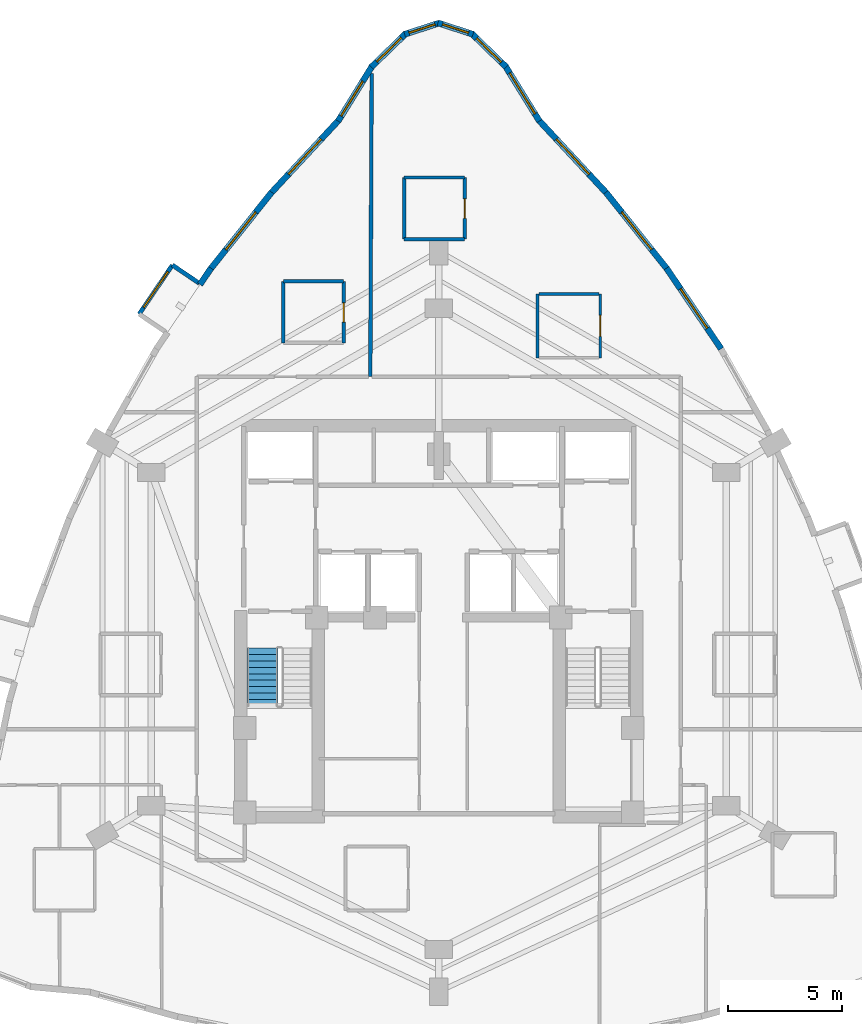
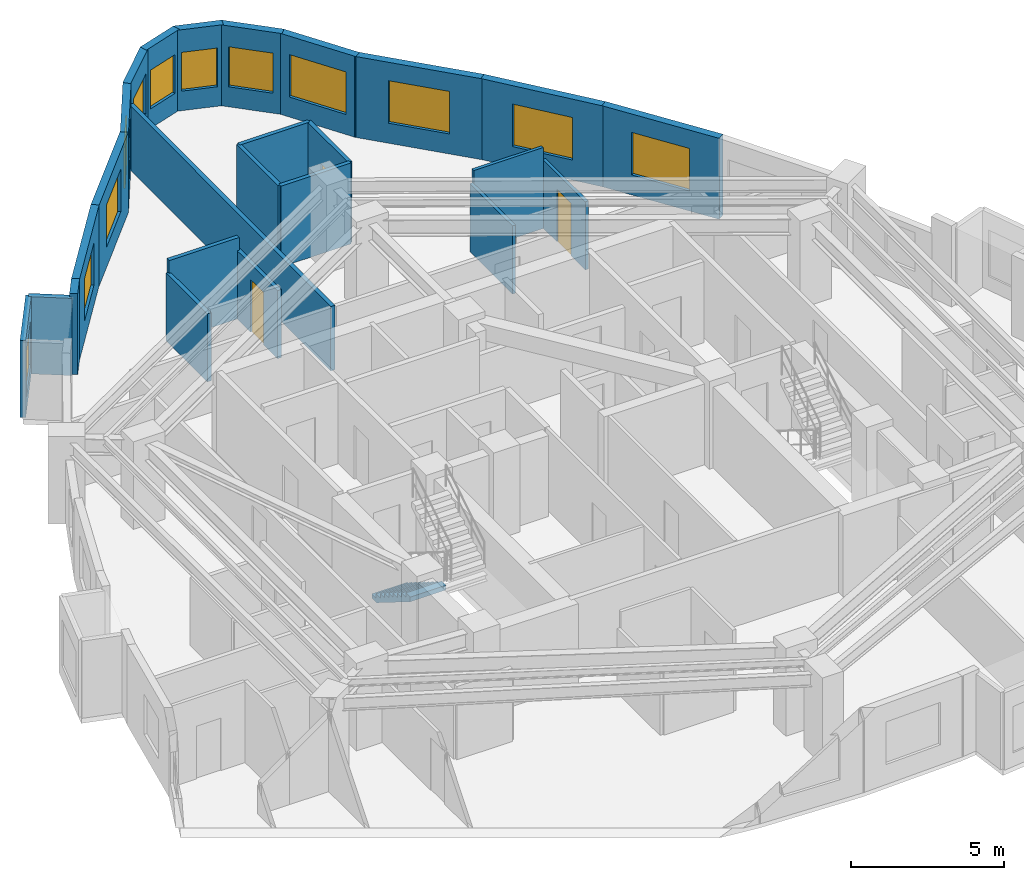
# One storey, part 8 of 10: 25 walls, 12 windows, 3 doors, 1 stair flight, 15 openings, 1 element without a shape of its own.
"""IFC4 building model written with IfcOpenShell, lengths in metres."""

from ifc_helpers import new_model, si_unit, direction, frame, frame_2d, origin, place, context, subcontext, project, spatial, polyline, rectangle, outline, extrude, material, layer, layer_set, type_object, element, fill, aggregate, save


model = new_model("IFC4")

# Units and contexts
model_context = context("Model", 3, precision=1e-05, world=origin(), true_north=direction((0.0, 1.0)))
body_context = subcontext(model_context, "Body", "Model", "MODEL_VIEW")
ifc_project = project(units=[si_unit("LENGTHUNIT", "METRE"), si_unit("AREAUNIT", "SQUARE_METRE"), si_unit("VOLUMEUNIT", "CUBIC_METRE"), si_unit("PLANEANGLEUNIT", "RADIAN"), si_unit("MASSUNIT", "GRAM", prefix="KILO")], contexts=[model_context])

# Site, building, storey
site_placement = place(None, origin())
site = spatial("IfcSite", under=ifc_project, at=site_placement, CompositionType="ELEMENT")
building_placement = place(site_placement, origin())
building = spatial("IfcBuilding", under=site, at=building_placement, Name="Miruveldt Soraemaru", CompositionType="ELEMENT")
storey_placement = place(building_placement, frame((0.0, 0.0, 173.89990234375)))
storey = spatial("IfcBuildingStorey", under=building, at=storey_placement, Name="L48", CompositionType="ELEMENT", Elevation=173.89990234375)

# Wall
ifc_material_1 = material(Name="White powder-coated aluminium EN AW-6060 T6", Category="aluminium")
ifc_layer_1 = layer(ifc_material_1, 0.18994140625, Name="White powder-coated aluminium EN AW-6060 T6", Category="aluminium")
ifc_layer_set_1 = layer_set([ifc_layer_1], Name="White powder-coated aluminium EN AW-6060 T6")
wall_type_1 = type_object("IfcWallType", Name="WALL-BAY-ALU190", PredefinedType="SOLIDWALL", material=ifc_layer_set_1)
wall_1_placement = place(storey_placement, frame((33.5029296875, 58.69580078125, 0.0), z_axis=(0.0, 0.0, 1.0), x_axis=(-0.827862228344, 0.560931485016, 0.0)))
element("IfcWall", 1, at=wall_1_placement, inside=storey, type_object=wall_type_1, Name="L48 Bay Window Side Cheek 1L", PredefinedType="SOLIDWALL", context=body_context, shape_type="SweptSolid", body=[
    extrude(rectangle(XDim=1.425048828125, YDim=0.18994140625, at=frame_2d((0.71240234375, 0.0))), origin(), (0.0, 0.0, 1.0), 3.085205078125),
])

# Wall, opening, window
wall_2_placement = place(storey_placement, frame((32.3232421875, 59.4951171875, 0.0), z_axis=(0.0, 0.0, 1.0), x_axis=(-0.560860602504, -0.827910251512, 0.0)))
wall_2 = element("IfcWall", 2, at=wall_2_placement, inside=storey, type_object=wall_type_1, Name="L48 Bay Window Front Frame 1", PredefinedType="SOLIDWALL", context=body_context, shape_type="SweptSolid", body=[
    extrude(rectangle(XDim=2.60009765625, YDim=0.18994140625, at=frame_2d((1.300048828125, 0.0))), origin(), (0.0, 0.0, 1.0), 3.085205078125),
])
opening_1_placement = place(wall_2_placement, frame((0.35009765625, 0.0, 0.550048828125)))
opening_1 = element("IfcOpeningElement", 3, at=opening_1_placement, cuts=wall_2, Name="Opening WN-6", PredefinedType="OPENING", context=body_context, shape_type="SweptSolid", body=[
    extrude(rectangle(XDim=1.89990234375, YDim=1.85009765625, at=frame_2d((0.949951171875, 0.925048828125))), frame((0.0, 0.10498046875, 0.0), z_axis=(0.0, -1.0, 0.0), x_axis=(1.0, 0.0, 0.0)), (0.0, 0.0, 1.0), 0.2099609375),
])
ifc_material_2 = material(Name="Triple low-e insulated glazing", Category="glass")
window_type_1 = type_object("IfcWindowType", Name="WIN-BAYW-1900x1850", PartitioningType="SINGLE_PANEL", PredefinedType="WINDOW", material=ifc_material_2)
window_1_placement = place(opening_1_placement, origin())
window_1 = element("IfcWindow", 4, at=window_1_placement, inside=storey, type_object=window_type_1, Name="L48 Projecting Bay Window 1", OverallHeight=1.85009765625, OverallWidth=1.89990234375, PartitioningType="SINGLE_PANEL", PredefinedType="WINDOW", context=body_context, shape_type="SweptSolid", body=[
    extrude(rectangle(XDim=1.89990234375, YDim=1.85009765625, at=frame_2d((0.949951171875, 0.925048828125))), frame((0.0, 0.030029296875, 0.0), z_axis=(0.0, -1.0, 0.0), x_axis=(1.0, 0.0, 0.0)), (0.0, 0.0, 1.0), 0.06005859375),
])
fill(opening_1, window_1)

ifc_material_3 = material(Name="Precast concrete C45/55 (45 MPa)", Category="concrete")
ifc_layer_2 = layer(ifc_material_3, 0.27001953125, Name="Precast concrete C45/55 (45 MPa)", Category="concrete")
ifc_layer_set_2 = layer_set([ifc_layer_2], Name="Precast concrete C45/55 (45 MPa)")
wall_type_2 = type_object("IfcWallType", Name="WALL-EXT-PC270", PredefinedType="SOLIDWALL", material=ifc_layer_set_2)
wall_3_placement = place(storey_placement, frame((48.412841796875, 65.80322265625, 0.0), z_axis=(0.0, 0.0, 1.0), x_axis=(-0.526095476119, 0.850425511145, 0.0)))
wall_3 = element("IfcWall", 5, at=wall_3_placement, inside=storey, type_object=wall_type_2, Name="L48 Precast Concrete Facade Wall 1", PredefinedType="SOLIDWALL", context=body_context, shape_type="SweptSolid", body=[
    extrude(rectangle(XDim=2.8544921875, YDim=0.27001953125, at=frame_2d((1.42724609375, 0.0))), origin(), (0.0, 0.0, 1.0), 3.235107421875),
])
opening_2_placement = place(wall_3_placement, frame((0.376953125, 0.0, 0.800048828125)))
opening_2 = element("IfcOpeningElement", 6, at=opening_2_placement, cuts=wall_3, Name="Opening WN-1", PredefinedType="OPENING", context=body_context, shape_type="SweptSolid", body=[
    extrude(rectangle(XDim=2.10009765625, YDim=1.699951171875, at=frame_2d((1.050048828125, 0.85009765625))), frame((0.0, 0.14501953125, 0.0), z_axis=(0.0, -1.0, 0.0), x_axis=(1.0, 0.0, 0.0)), (0.0, 0.0, 1.0), 0.2900390625),
])
window_type_2 = type_object("IfcWindowType", Name="WIN-PUNCH-2100x1700", PartitioningType="SINGLE_PANEL", PredefinedType="WINDOW", material=ifc_material_2)
window_2_placement = place(opening_2_placement, origin())
window_2 = element("IfcWindow", 7, at=window_2_placement, inside=storey, type_object=window_type_2, Name="L48 Punched Triple-Glazed Window 01.1", OverallHeight=1.699951171875, OverallWidth=2.10009765625, PartitioningType="SINGLE_PANEL", PredefinedType="WINDOW", context=body_context, shape_type="SweptSolid", body=[
    extrude(rectangle(XDim=2.10009765625, YDim=1.699951171875, at=frame_2d((1.050048828125, 0.85009765625))), frame((0.0, 0.030029296875, 0.0), z_axis=(0.0, -1.0, 0.0), x_axis=(1.0, 0.0, 0.0)), (0.0, 0.0, 1.0), 0.06005859375),
])
fill(opening_2, window_2)

wall_4_placement = place(storey_placement, frame((46.95458984375, 68.176513671875, 0.0), z_axis=(0.0, 0.0, 1.0), x_axis=(-0.717725197835, 0.696326461075, 0.0)))
wall_4 = element("IfcWall", 8, at=wall_4_placement, inside=storey, type_object=wall_type_2, Name="L48 Precast Concrete Facade Wall 2", PredefinedType="SOLIDWALL", context=body_context, shape_type="SweptSolid", body=[
    extrude(rectangle(XDim=2.110595703125, YDim=0.27001953125, at=frame_2d((1.05517578125, 0.0))), origin(), (0.0, 0.0, 1.0), 3.235107421875),
])
opening_3_placement = place(wall_4_placement, frame((0.305908203125, 0.0, 0.800048828125)))
opening_3 = element("IfcOpeningElement", 9, at=opening_3_placement, cuts=wall_4, Name="Opening WN-3", PredefinedType="OPENING", context=body_context, shape_type="SweptSolid", body=[
    extrude(rectangle(XDim=1.5, YDim=1.60009765625, at=frame_2d((0.75, 0.800048828125))), frame((0.0, 0.14501953125, 0.0), z_axis=(0.0, -1.0, 0.0), x_axis=(1.0, 0.0, 0.0)), (0.0, 0.0, 1.0), 0.2900390625),
])
window_type_3 = type_object("IfcWindowType", Name="WIN-PUNCH-1500x1600", PartitioningType="SINGLE_PANEL", PredefinedType="WINDOW", material=ifc_material_2)
window_3_placement = place(opening_3_placement, origin())
window_3 = element("IfcWindow", 10, at=window_3_placement, inside=storey, type_object=window_type_3, Name="L48 Punched Triple-Glazed Window 02.1", OverallHeight=1.60009765625, OverallWidth=1.5, PartitioningType="SINGLE_PANEL", PredefinedType="WINDOW", context=body_context, shape_type="SweptSolid", body=[
    extrude(rectangle(XDim=1.5, YDim=1.60009765625, at=frame_2d((0.75, 0.800048828125))), frame((0.0, 0.030029296875, 0.0), z_axis=(0.0, -1.0, 0.0), x_axis=(1.0, 0.0, 0.0)), (0.0, 0.0, 1.0), 0.06005859375),
])
fill(opening_3, window_3)

wall_5_placement = place(storey_placement, frame((45.498046875, 69.611083984375, 0.0), z_axis=(0.0, 0.0, 1.0), x_axis=(-0.951496776106, 0.307658715233, 0.0)))
wall_5 = element("IfcWall", 11, at=wall_5_placement, inside=storey, type_object=wall_type_2, Name="L48 Precast Concrete Facade Wall 3", PredefinedType="SOLIDWALL", context=body_context, shape_type="SweptSolid", body=[
    extrude(rectangle(XDim=1.609375, YDim=0.27001953125, at=frame_2d((0.8046875, 0.0))), origin(), (0.0, 0.0, 1.0), 3.235107421875),
])
opening_4_placement = place(wall_5_placement, frame((0.205078125, 0.0, 0.780029296875)))
opening_4 = element("IfcOpeningElement", 12, at=opening_4_placement, cuts=wall_5, Name="Opening WN-4", PredefinedType="OPENING", context=body_context, shape_type="SweptSolid", body=[
    extrude(rectangle(XDim=1.199951171875, YDim=1.550048828125, at=frame_2d((0.60009765625, 0.77490234375))), frame((0.0, 0.14501953125, 0.0), z_axis=(0.0, -1.0, 0.0), x_axis=(1.0, 0.0, 0.0)), (0.0, 0.0, 1.0), 0.2900390625),
])
window_type_4 = type_object("IfcWindowType", Name="WIN-PUNCH-1200x1550", PartitioningType="SINGLE_PANEL", PredefinedType="WINDOW", material=ifc_material_2)
window_4_placement = place(opening_4_placement, origin())
window_4 = element("IfcWindow", 13, at=window_4_placement, inside=storey, type_object=window_type_4, Name="L48 Punched Triple-Glazed Window 03.1", OverallHeight=1.550048828125, OverallWidth=1.199951171875, PartitioningType="SINGLE_PANEL", PredefinedType="WINDOW", context=body_context, shape_type="SweptSolid", body=[
    extrude(rectangle(XDim=1.199951171875, YDim=1.550048828125, at=frame_2d((0.60009765625, 0.77490234375))), frame((0.0, 0.030029296875, 0.0), z_axis=(0.0, -1.0, 0.0), x_axis=(1.0, 0.0, 0.0)), (0.0, 0.0, 1.0), 0.06005859375),
])
fill(opening_4, window_4)

wall_6_placement = place(storey_placement, frame((44.033203125, 70.106201171875, 0.0), z_axis=(0.0, 0.0, 1.0), x_axis=(-0.951496776106, -0.307658715233, 0.0)))
wall_6 = element("IfcWall", 14, at=wall_6_placement, inside=storey, type_object=wall_type_2, Name="L48 Precast Concrete Facade Wall 4", PredefinedType="SOLIDWALL", context=body_context, shape_type="SweptSolid", body=[
    extrude(rectangle(XDim=1.609375, YDim=0.27001953125, at=frame_2d((0.8046875, 0.0))), origin(), (0.0, 0.0, 1.0), 3.235107421875),
])
opening_5_placement = place(wall_6_placement, frame((0.205078125, 0.0, 0.780029296875)))
opening_5 = element("IfcOpeningElement", 15, at=opening_5_placement, cuts=wall_6, Name="Opening WN-4", PredefinedType="OPENING", context=body_context, shape_type="SweptSolid", body=[
    extrude(rectangle(XDim=1.199951171875, YDim=1.550048828125, at=frame_2d((0.60009765625, 0.77490234375))), frame((0.0, 0.14501953125, 0.0), z_axis=(0.0, -1.0, 0.0), x_axis=(1.0, 0.0, 0.0)), (0.0, 0.0, 1.0), 0.2900390625),
])
window_5_placement = place(opening_5_placement, origin())
window_5 = element("IfcWindow", 16, at=window_5_placement, inside=storey, type_object=window_type_4, Name="L48 Punched Triple-Glazed Window 04.1", OverallHeight=1.550048828125, OverallWidth=1.199951171875, PartitioningType="SINGLE_PANEL", PredefinedType="WINDOW", context=body_context, shape_type="SweptSolid", body=[
    extrude(rectangle(XDim=1.199951171875, YDim=1.550048828125, at=frame_2d((0.60009765625, 0.77490234375))), frame((0.0, 0.030029296875, 0.0), z_axis=(0.0, -1.0, 0.0), x_axis=(1.0, 0.0, 0.0)), (0.0, 0.0, 1.0), 0.06005859375),
])
fill(opening_5, window_5)

wall_7_placement = place(storey_placement, frame((42.560302734375, 69.646240234375, 0.0), z_axis=(0.0, 0.0, 1.0), x_axis=(-0.717725197835, -0.696326461075, 0.0)))
wall_7 = element("IfcWall", 17, at=wall_7_placement, inside=storey, type_object=wall_type_2, Name="L48 Precast Concrete Facade Wall 5", PredefinedType="SOLIDWALL", context=body_context, shape_type="SweptSolid", body=[
    extrude(rectangle(XDim=2.110595703125, YDim=0.27001953125, at=frame_2d((1.05517578125, 0.0))), origin(), (0.0, 0.0, 1.0), 3.235107421875),
])
opening_6_placement = place(wall_7_placement, frame((0.278076171875, 0.0, 0.800048828125)))
opening_6 = element("IfcOpeningElement", 18, at=opening_6_placement, cuts=wall_7, Name="Opening WN-3", PredefinedType="OPENING", context=body_context, shape_type="SweptSolid", body=[
    extrude(rectangle(XDim=1.5, YDim=1.60009765625, at=frame_2d((0.75, 0.800048828125))), frame((0.0, 0.14501953125, 0.0), z_axis=(0.0, -1.0, 0.0), x_axis=(1.0, 0.0, 0.0)), (0.0, 0.0, 1.0), 0.2900390625),
])
window_6_placement = place(opening_6_placement, origin())
window_6 = element("IfcWindow", 19, at=window_6_placement, inside=storey, type_object=window_type_3, Name="L48 Punched Triple-Glazed Window 05.1", OverallHeight=1.60009765625, OverallWidth=1.5, PartitioningType="SINGLE_PANEL", PredefinedType="WINDOW", context=body_context, shape_type="SweptSolid", body=[
    extrude(rectangle(XDim=1.5, YDim=1.60009765625, at=frame_2d((0.75, 0.800048828125))), frame((0.0, 0.030029296875, 0.0), z_axis=(0.0, -1.0, 0.0), x_axis=(1.0, 0.0, 0.0)), (0.0, 0.0, 1.0), 0.06005859375),
])
fill(opening_6, window_6)

wall_8_placement = place(storey_placement, frame((41.0888671875, 68.230712890625, 0.0), z_axis=(0.0, 0.0, 1.0), x_axis=(-0.526095476119, -0.850425511145, 0.0)))
wall_8 = element("IfcWall", 20, at=wall_8_placement, inside=storey, type_object=wall_type_2, Name="L48 Precast Concrete Facade Wall 6", PredefinedType="SOLIDWALL", context=body_context, shape_type="SweptSolid", body=[
    extrude(rectangle(XDim=2.8544921875, YDim=0.27001953125, at=frame_2d((1.42724609375, 0.0))), origin(), (0.0, 0.0, 1.0), 3.235107421875),
])
opening_7_placement = place(wall_8_placement, frame((0.797119140625, 0.0, 0.800048828125)))
opening_7 = element("IfcOpeningElement", 21, at=opening_7_placement, cuts=wall_8, Name="Opening WN-2", PredefinedType="OPENING", context=body_context, shape_type="SweptSolid", body=[
    extrude(rectangle(XDim=1.800048828125, YDim=1.64990234375, at=frame_2d((0.89990234375, 0.824951171875))), frame((0.0, 0.14501953125, 0.0), z_axis=(0.0, -1.0, 0.0), x_axis=(1.0, 0.0, 0.0)), (0.0, 0.0, 1.0), 0.2900390625),
])
window_type_5 = type_object("IfcWindowType", Name="WIN-PUNCH-1800x1650", PartitioningType="SINGLE_PANEL", PredefinedType="WINDOW", material=ifc_material_2)
window_7_placement = place(opening_7_placement, origin())
window_7 = element("IfcWindow", 22, at=window_7_placement, inside=storey, type_object=window_type_5, Name="L48 Punched Triple-Glazed Window 06.1", OverallHeight=1.64990234375, OverallWidth=1.800048828125, PartitioningType="SINGLE_PANEL", PredefinedType="WINDOW", context=body_context, shape_type="SweptSolid", body=[
    extrude(rectangle(XDim=1.800048828125, YDim=1.64990234375, at=frame_2d((0.89990234375, 0.824951171875))), frame((0.0, 0.030029296875, 0.0), z_axis=(0.0, -1.0, 0.0), x_axis=(1.0, 0.0, 0.0)), (0.0, 0.0, 1.0), 0.06005859375),
])
fill(opening_7, window_7)

wall_9_placement = place(storey_placement, frame((39.62939453125, 65.858642578125, 0.0), z_axis=(0.0, 0.0, 1.0), x_axis=(-0.680867612552, -0.732406508831, 0.0)))
wall_9 = element("IfcWall", 23, at=wall_9_placement, inside=storey, type_object=wall_type_2, Name="L48 Precast Concrete Facade Wall 7", PredefinedType="SOLIDWALL", context=body_context, shape_type="SweptSolid", body=[
    extrude(rectangle(XDim=4.405517578125, YDim=0.27001953125, at=frame_2d((2.20263671875, 0.0))), origin(), (0.0, 0.0, 1.0), 3.235107421875),
])
opening_8_placement = place(wall_9_placement, frame((1.152099609375, 0.0, 0.800048828125)))
opening_8 = element("IfcOpeningElement", 24, at=opening_8_placement, cuts=wall_9, Name="Opening WN-1", PredefinedType="OPENING", context=body_context, shape_type="SweptSolid", body=[
    extrude(rectangle(XDim=2.10009765625, YDim=1.699951171875, at=frame_2d((1.050048828125, 0.85009765625))), frame((0.0, 0.14501953125, 0.0), z_axis=(0.0, -1.0, 0.0), x_axis=(1.0, 0.0, 0.0)), (0.0, 0.0, 1.0), 0.2900390625),
])
window_8_placement = place(opening_8_placement, origin())
window_8 = element("IfcWindow", 25, at=window_8_placement, inside=storey, type_object=window_type_2, Name="L48 Punched Triple-Glazed Window 07.1", OverallHeight=1.699951171875, OverallWidth=2.10009765625, PartitioningType="SINGLE_PANEL", PredefinedType="WINDOW", context=body_context, shape_type="SweptSolid", body=[
    extrude(rectangle(XDim=2.10009765625, YDim=1.699951171875, at=frame_2d((1.050048828125, 0.85009765625))), frame((0.0, 0.030029296875, 0.0), z_axis=(0.0, -1.0, 0.0), x_axis=(1.0, 0.0, 0.0)), (0.0, 0.0, 1.0), 0.06005859375),
])
fill(opening_8, window_8)

wall_10_placement = place(storey_placement, frame((36.67529296875, 62.68505859375, 0.0), z_axis=(0.0, 0.0, 1.0), x_axis=(-0.623572950906, -0.781765166082, 0.0)))
wall_10 = element("IfcWall", 26, at=wall_10_placement, inside=storey, type_object=wall_type_2, Name="L48 Precast Concrete Facade Wall 8", PredefinedType="SOLIDWALL", context=body_context, shape_type="SweptSolid", body=[
    extrude(rectangle(XDim=4.327392578125, YDim=0.27001953125, at=frame_2d((2.16357421875, 0.0))), origin(), (0.0, 0.0, 1.0), 3.235107421875),
])
opening_9_placement = place(wall_10_placement, frame((1.114013671875, 0.0, 0.800048828125)))
opening_9 = element("IfcOpeningElement", 27, at=opening_9_placement, cuts=wall_10, Name="Opening WN-1", PredefinedType="OPENING", context=body_context, shape_type="SweptSolid", body=[
    extrude(rectangle(XDim=2.10009765625, YDim=1.699951171875, at=frame_2d((1.050048828125, 0.85009765625))), frame((0.0, 0.14501953125, 0.0), z_axis=(0.0, -1.0, 0.0), x_axis=(1.0, 0.0, 0.0)), (0.0, 0.0, 1.0), 0.2900390625),
])
window_9_placement = place(opening_9_placement, origin())
window_9 = element("IfcWindow", 28, at=window_9_placement, inside=storey, type_object=window_type_2, Name="L48 Punched Triple-Glazed Window 08.1", OverallHeight=1.699951171875, OverallWidth=2.10009765625, PartitioningType="SINGLE_PANEL", PredefinedType="WINDOW", context=body_context, shape_type="SweptSolid", body=[
    extrude(rectangle(XDim=2.10009765625, YDim=1.699951171875, at=frame_2d((1.050048828125, 0.85009765625))), frame((0.0, 0.030029296875, 0.0), z_axis=(0.0, -1.0, 0.0), x_axis=(1.0, 0.0, 0.0)), (0.0, 0.0, 1.0), 0.06005859375),
])
fill(opening_9, window_9)

# Wall
wall_11_placement = place(storey_placement, frame((34.01806640625, 59.3583984375, 0.0), z_axis=(0.0, 0.0, 1.0), x_axis=(-0.560661430065, -0.828045144203, 0.0)))
element("IfcWall", 29, at=wall_11_placement, inside=storey, type_object=wall_type_2, Name="L48 Precast Pier Wall 9A", PredefinedType="SOLIDWALL", context=body_context, shape_type="SweptSolid", body=[
    extrude(rectangle(XDim=0.867431640625, YDim=0.27001953125, at=frame_2d((0.43359375, 0.0))), origin(), (0.0, 0.0, 1.0), 3.235107421875),
])

# Wall, opening, window
wall_12_placement = place(storey_placement, frame((56.37939453125, 55.819091796875, 0.0), z_axis=(0.0, 0.0, 1.0), x_axis=(-0.560826677565, 0.827933232653, 0.0)))
wall_12 = element("IfcWall", 30, at=wall_12_placement, inside=storey, type_object=wall_type_2, Name="L48 Precast Concrete Facade Wall 40", PredefinedType="SOLIDWALL", context=body_context, shape_type="SweptSolid", body=[
    extrude(rectangle(XDim=4.27490234375, YDim=0.27001953125, at=frame_2d((2.137451171875, 0.0))), origin(), (0.0, 0.0, 1.0), 3.235107421875),
])
opening_10_placement = place(wall_12_placement, frame((1.0869140625, 0.0, 0.800048828125)))
opening_10 = element("IfcOpeningElement", 31, at=opening_10_placement, cuts=wall_12, Name="Opening WN-1", PredefinedType="OPENING", context=body_context, shape_type="SweptSolid", body=[
    extrude(rectangle(XDim=2.10009765625, YDim=1.699951171875, at=frame_2d((1.050048828125, 0.85009765625))), frame((0.0, 0.14501953125, 0.0), z_axis=(0.0, -1.0, 0.0), x_axis=(1.0, 0.0, 0.0)), (0.0, 0.0, 1.0), 0.2900390625),
])
window_10_placement = place(opening_10_placement, origin())
window_10 = element("IfcWindow", 32, at=window_10_placement, inside=storey, type_object=window_type_2, Name="L48 Punched Triple-Glazed Window 40.1", OverallHeight=1.699951171875, OverallWidth=2.10009765625, PartitioningType="SINGLE_PANEL", PredefinedType="WINDOW", context=body_context, shape_type="SweptSolid", body=[
    extrude(rectangle(XDim=2.10009765625, YDim=1.699951171875, at=frame_2d((1.050048828125, 0.85009765625))), frame((0.0, 0.030029296875, 0.0), z_axis=(0.0, -1.0, 0.0), x_axis=(1.0, 0.0, 0.0)), (0.0, 0.0, 1.0), 0.06005859375),
])
fill(opening_10, window_10)

wall_13_placement = place(storey_placement, frame((54.023193359375, 59.302001953125, 0.0), z_axis=(0.0, 0.0, 1.0), x_axis=(-0.623572950906, 0.781765166082, 0.0)))
wall_13 = element("IfcWall", 33, at=wall_13_placement, inside=storey, type_object=wall_type_2, Name="L48 Precast Concrete Facade Wall 41", PredefinedType="SOLIDWALL", context=body_context, shape_type="SweptSolid", body=[
    extrude(rectangle(XDim=4.327392578125, YDim=0.27001953125, at=frame_2d((2.16357421875, 0.0))), origin(), (0.0, 0.0, 1.0), 3.235107421875),
])
opening_11_placement = place(wall_13_placement, frame((1.114013671875, 0.0, 0.800048828125)))
opening_11 = element("IfcOpeningElement", 34, at=opening_11_placement, cuts=wall_13, Name="Opening WN-1", PredefinedType="OPENING", context=body_context, shape_type="SweptSolid", body=[
    extrude(rectangle(XDim=2.10009765625, YDim=1.699951171875, at=frame_2d((1.050048828125, 0.85009765625))), frame((0.0, 0.14501953125, 0.0), z_axis=(0.0, -1.0, 0.0), x_axis=(1.0, 0.0, 0.0)), (0.0, 0.0, 1.0), 0.2900390625),
])
window_11_placement = place(opening_11_placement, origin())
window_11 = element("IfcWindow", 35, at=window_11_placement, inside=storey, type_object=window_type_2, Name="L48 Punched Triple-Glazed Window 41.1", OverallHeight=1.699951171875, OverallWidth=2.10009765625, PartitioningType="SINGLE_PANEL", PredefinedType="WINDOW", context=body_context, shape_type="SweptSolid", body=[
    extrude(rectangle(XDim=2.10009765625, YDim=1.699951171875, at=frame_2d((1.050048828125, 0.85009765625))), frame((0.0, 0.030029296875, 0.0), z_axis=(0.0, -1.0, 0.0), x_axis=(1.0, 0.0, 0.0)), (0.0, 0.0, 1.0), 0.06005859375),
])
fill(opening_11, window_11)

wall_14_placement = place(storey_placement, frame((51.3701171875, 62.632080078125, 0.0), z_axis=(0.0, 0.0, 1.0), x_axis=(-0.680867612552, 0.732406508831, 0.0)))
wall_14 = element("IfcWall", 36, at=wall_14_placement, inside=storey, type_object=wall_type_2, Name="L48 Precast Concrete Facade Wall 42", PredefinedType="SOLIDWALL", context=body_context, shape_type="SweptSolid", body=[
    extrude(rectangle(XDim=4.405517578125, YDim=0.27001953125, at=frame_2d((2.20263671875, 0.0))), origin(), (0.0, 0.0, 1.0), 3.235107421875),
])
opening_12_placement = place(wall_14_placement, frame((1.152099609375, 0.0, 0.800048828125)))
opening_12 = element("IfcOpeningElement", 37, at=opening_12_placement, cuts=wall_14, Name="Opening WN-1", PredefinedType="OPENING", context=body_context, shape_type="SweptSolid", body=[
    extrude(rectangle(XDim=2.10009765625, YDim=1.699951171875, at=frame_2d((1.050048828125, 0.85009765625))), frame((0.0, 0.14501953125, 0.0), z_axis=(0.0, -1.0, 0.0), x_axis=(1.0, 0.0, 0.0)), (0.0, 0.0, 1.0), 0.2900390625),
])
window_12_placement = place(opening_12_placement, origin())
window_12 = element("IfcWindow", 38, at=window_12_placement, inside=storey, type_object=window_type_2, Name="L48 Punched Triple-Glazed Window 42.1", OverallHeight=1.699951171875, OverallWidth=2.10009765625, PartitioningType="SINGLE_PANEL", PredefinedType="WINDOW", context=body_context, shape_type="SweptSolid", body=[
    extrude(rectangle(XDim=2.10009765625, YDim=1.699951171875, at=frame_2d((1.050048828125, 0.85009765625))), frame((0.0, 0.030029296875, 0.0), z_axis=(0.0, -1.0, 0.0), x_axis=(1.0, 0.0, 0.0)), (0.0, 0.0, 1.0), 0.06005859375),
])
fill(opening_12, window_12)

# Wall, opening, door
ifc_material_4 = material(Name="Gypsum plasterboard lining", Category="gypsum")
ifc_layer_3 = layer(ifc_material_4, 0.1201171875, Name="Gypsum plasterboard lining", Category="gypsum")
ifc_layer_set_3 = layer_set([ifc_layer_3], Name="Gypsum plasterboard lining")
wall_type_3 = type_object("IfcWallType", Name="WALL-INT-P120", PredefinedType="PARTITIONING", material=ifc_layer_set_3)
wall_15_placement = place(storey_placement, frame((51.0810546875, 55.429931640625, 0.0), z_axis=(0.0, 0.0, 1.0), x_axis=(0.0, 1.0, 0.0)))
wall_15 = element("IfcWall", 39, at=wall_15_placement, inside=storey, type_object=wall_type_3, Name="L48 Partition Wall 21", PredefinedType="PARTITIONING", context=body_context, shape_type="SweptSolid", body=[
    extrude(rectangle(XDim=2.800048828125, YDim=0.1201171875, at=frame_2d((1.39990234375, 0.0))), origin(), (0.0, 0.0, 1.0), 2.72314453125),
])
opening_13_placement = place(wall_15_placement, frame((0.93994140625, 0.0, 0.0)))
opening_13 = element("IfcOpeningElement", 40, at=opening_13_placement, cuts=wall_15, Name="Opening D3A", PredefinedType="OPENING", context=body_context, shape_type="SweptSolid", body=[
    extrude(rectangle(XDim=0.919921875, YDim=2.10009765625, at=frame_2d((0.4599609375, 1.050048828125))), frame((0.0, 0.070068359375, 0.0), z_axis=(0.0, -1.0, 0.0), x_axis=(1.0, 0.0, 0.0)), (0.0, 0.0, 1.0), 0.14013671875),
])
ifc_material_5 = material(Name="Anodised aluminium EN AW-6063 T6", Category="aluminium")
door_type_1 = type_object("IfcDoorType", Name="DOOR-INT-920", OperationType="NOTDEFINED", PredefinedType="DOOR", material=ifc_material_5)
door_1_placement = place(opening_13_placement, origin())
door_1 = element("IfcDoor", 41, at=door_1_placement, inside=storey, type_object=door_type_1, Name="L48 Unit CL02 KIT Door", OperationType="SINGLE_SWING_RIGHT", OverallHeight=2.10009765625, OverallWidth=0.919921875, PredefinedType="DOOR", context=body_context, shape_type="SweptSolid", body=[
    extrude(rectangle(XDim=0.919921875, YDim=2.10009765625, at=frame_2d((0.4599609375, 1.050048828125))), frame((0.0, 0.02490234375, 0.0), z_axis=(0.0, -1.0, 0.0), x_axis=(1.0, 0.0, 0.0)), (0.0, 0.0, 1.0), 0.050048828125),
])
fill(opening_13, door_1)

# Walls
wall_16_placement = place(storey_placement, frame((48.3310546875, 58.22998046875, 0.0), z_axis=(0.0, 0.0, 1.0), x_axis=(0.0, -1.0, 0.0)))
element("IfcWall", 42, at=wall_16_placement, inside=storey, type_object=wall_type_3, Name="L48 Partition Wall 23", PredefinedType="PARTITIONING", context=body_context, shape_type="SweptSolid", body=[
    extrude(rectangle(XDim=2.800048828125, YDim=0.1201171875, at=frame_2d((1.39990234375, 0.0))), origin(), (0.0, 0.0, 1.0), 2.72314453125),
])
wall_17_placement = place(storey_placement, frame((51.02099609375, 58.22998046875, 0.0), z_axis=(0.0, 0.0, 1.0), x_axis=(-1.0, 0.0, 0.0)))
element("IfcWall", 43, at=wall_17_placement, inside=storey, type_object=wall_type_3, Name="L48 Partition Wall 22", PredefinedType="PARTITIONING", context=body_context, shape_type="SweptSolid", body=[
    extrude(rectangle(XDim=2.6298828125, YDim=0.1201171875, at=frame_2d((1.31494140625, 0.0))), origin(), (0.0, 0.0, 1.0), 3.235107421875),
])

# Wall, opening, door
ifc_layer_4 = layer(ifc_material_4, 0.14990234375, Name="Gypsum plasterboard lining", Category="gypsum")
ifc_layer_set_4 = layer_set([ifc_layer_4], Name="Gypsum plasterboard lining")
wall_type_4 = type_object("IfcWallType", Name="WALL-INT-PLUMB", PredefinedType="PLUMBINGWALL", material=ifc_layer_set_4)
wall_18_placement = place(storey_placement, frame((39.833984375, 56.080078125, 0.0), z_axis=(0.0, 0.0, 1.0), x_axis=(0.0, 1.0, 0.0)))
wall_18 = element("IfcWall", 44, at=wall_18_placement, inside=storey, type_object=wall_type_4, Name="L48 Partition Wall 13", PredefinedType="PLUMBINGWALL", context=body_context, shape_type="SweptSolid", body=[
    extrude(rectangle(XDim=2.699951171875, YDim=0.14990234375, at=frame_2d((1.35009765625, 0.0))), origin(), (0.0, 0.0, 1.0), 2.72314453125),
])
opening_14_placement = place(wall_18_placement, frame((0.909912109375, 0.0, 0.0)))
opening_14 = element("IfcOpeningElement", 45, at=opening_14_placement, cuts=wall_18, Name="Opening FD3", PredefinedType="OPENING", context=body_context, shape_type="SweptSolid", body=[
    extrude(rectangle(XDim=0.85009765625, YDim=2.10009765625, at=frame_2d((0.425048828125, 1.050048828125))), frame((0.0, 0.0849609375, 0.0), z_axis=(0.0, -1.0, 0.0), x_axis=(1.0, 0.0, 0.0)), (0.0, 0.0, 1.0), 0.169921875),
])
door_type_2 = type_object("IfcDoorType", Name="DOOR-FD3-850", OperationType="NOTDEFINED", PredefinedType="DOOR", material=ifc_material_5)
door_2_placement = place(opening_14_placement, origin())
door_2 = element("IfcDoor", 46, at=door_2_placement, inside=storey, type_object=door_type_2, Name="L48 Unit CL01 BTH Door", OperationType="SINGLE_SWING_LEFT", OverallHeight=2.10009765625, OverallWidth=0.85009765625, PredefinedType="DOOR", context=body_context, shape_type="SweptSolid", body=[
    extrude(rectangle(XDim=0.85009765625, YDim=2.10009765625, at=frame_2d((0.425048828125, 1.050048828125))), frame((0.0, 0.02490234375, 0.0), z_axis=(0.0, -1.0, 0.0), x_axis=(1.0, 0.0, 0.0)), (0.0, 0.0, 1.0), 0.050048828125),
])
fill(opening_14, door_2)

wall_19_placement = place(storey_placement, frame((45.131103515625, 60.6298828125, 0.0), z_axis=(0.0, 0.0, 1.0), x_axis=(0.0, 1.0, 0.0)))
wall_19 = element("IfcWall", 47, at=wall_19_placement, inside=storey, type_object=wall_type_4, Name="L48 Partition Wall 17", PredefinedType="PLUMBINGWALL", context=body_context, shape_type="SweptSolid", body=[
    extrude(rectangle(XDim=2.7001953125, YDim=0.14990234375, at=frame_2d((1.35009765625, 0.0))), origin(), (0.0, 0.0, 1.0), 3.235107421875),
])
opening_15_placement = place(wall_19_placement, frame((0.909912109375, 0.0, 0.0)))
opening_15 = element("IfcOpeningElement", 48, at=opening_15_placement, cuts=wall_19, Name="Opening FD3", PredefinedType="OPENING", context=body_context, shape_type="SweptSolid", body=[
    extrude(rectangle(XDim=0.85009765625, YDim=2.10009765625, at=frame_2d((0.425048828125, 1.050048828125))), frame((0.0, 0.0849609375, 0.0), z_axis=(0.0, -1.0, 0.0), x_axis=(1.0, 0.0, 0.0)), (0.0, 0.0, 1.0), 0.169921875),
])
door_3_placement = place(opening_15_placement, origin())
door_3 = element("IfcDoor", 49, at=door_3_placement, inside=storey, type_object=door_type_2, Name="L48 Unit CL02 BTH Door", OperationType="SINGLE_SWING_LEFT", OverallHeight=2.10009765625, OverallWidth=0.85009765625, PredefinedType="DOOR", context=body_context, shape_type="SweptSolid", body=[
    extrude(rectangle(XDim=0.85009765625, YDim=2.10009765625, at=frame_2d((0.425048828125, 1.050048828125))), frame((0.0, 0.02490234375, 0.0), z_axis=(0.0, -1.0, 0.0), x_axis=(1.0, 0.0, 0.0)), (0.0, 0.0, 1.0), 0.050048828125),
])
fill(opening_15, door_3)

# Walls
wall_20_placement = place(storey_placement, frame((37.18408203125, 58.780029296875, 0.0), z_axis=(0.0, 0.0, 1.0), x_axis=(0.0, -1.0, 0.0)))
element("IfcWall", 50, at=wall_20_placement, inside=storey, type_object=wall_type_4, Name="L48 Partition Wall 52", PredefinedType="PLUMBINGWALL", context=body_context, shape_type="SweptSolid", body=[
    extrude(rectangle(XDim=2.699951171875, YDim=0.14990234375, at=frame_2d((1.35009765625, 0.0))), origin(), (0.0, 0.0, 1.0), 2.72314453125),
])
wall_21_placement = place(storey_placement, frame((42.48095703125, 63.330078125, 0.0), z_axis=(0.0, 0.0, 1.0), x_axis=(0.0, -1.0, 0.0)))
element("IfcWall", 51, at=wall_21_placement, inside=storey, type_object=wall_type_4, Name="L48 Partition Wall 19", PredefinedType="PLUMBINGWALL", context=body_context, shape_type="SweptSolid", body=[
    extrude(rectangle(XDim=2.7001953125, YDim=0.14990234375, at=frame_2d((1.35009765625, 0.0))), origin(), (0.0, 0.0, 1.0), 3.235107421875),
])
wall_22_placement = place(storey_placement, frame((39.833984375, 58.780029296875, 0.0), z_axis=(0.0, 0.0, 1.0), x_axis=(-1.0, 0.0, 0.0)))
element("IfcWall", 52, at=wall_22_placement, inside=storey, type_object=wall_type_4, Name="L48 Partition Wall 51", PredefinedType="PLUMBINGWALL", context=body_context, shape_type="SweptSolid", body=[
    extrude(rectangle(XDim=2.64990234375, YDim=0.14990234375, at=frame_2d((1.324951171875, 0.0))), origin(), (0.0, 0.0, 1.0), 3.235107421875),
])
for number, where, z_axis, x_axis, name in (
    (53, (45.131103515625, 63.330078125, 0.0), (0.0, 0.0, 1.0), (-1.0, 0.0, 0.0), "L48 Partition Wall 18"),
    (54, (42.48095703125, 60.6298828125, 0.0), (0.0, 0.0, 1.0), (1.0, 0.0, 0.0), "L48 Partition Wall 20"),
):
    element("IfcWall", number, at=place(storey_placement, frame(where, z_axis=z_axis, x_axis=x_axis)), inside=storey, type_object=wall_type_4, Name=name, PredefinedType="PLUMBINGWALL", context=body_context, shape_type="SweptSolid", body=[
        extrude(rectangle(XDim=2.650146484375, YDim=0.14990234375, at=frame_2d((1.3251953125, 0.0))), origin(), (0.0, 0.0, 1.0), 3.235107421875),
    ])
ifc_material_6 = material(Name="Concrete C40/50 (40 MPa)", Category="concrete")
ifc_layer_5 = layer(ifc_material_6, 0.159912109375, Name="Concrete C40/50 (40 MPa)", Category="concrete")
ifc_layer_set_5 = layer_set([ifc_layer_5], Name="Concrete C40/50 (40 MPa)")
wall_type_5 = type_object("IfcWallType", Name="WALL-INT-RC160", PredefinedType="SOLIDWALL", material=ifc_layer_set_5)
wall_23_placement = place(storey_placement, frame((41.0, 54.60302734375, 0.0), z_axis=(0.0, 0.0, 1.0), x_axis=(0.00437110135, 0.999990446691, 0.0)))
element("IfcWall", 55, at=wall_23_placement, inside=storey, type_object=wall_type_5, Name="L48 Partition Wall 15", PredefinedType="SOLIDWALL", context=body_context, shape_type="SweptSolid", body=[
    extrude(rectangle(XDim=13.293212890625, YDim=0.159912109375, at=frame_2d((6.646484375, 0.0))), origin(), (0.0, 0.0, 1.0), 2.572998046875),
])

# Stair, stair flight
stair_type = type_object("IfcStairType", Name="STAIR-DL-350", PredefinedType="HALF_TURN_STAIR", material=ifc_material_6)
stair_placement = place(storey_placement, origin())
stair = element("IfcStair", 56, at=stair_placement, inside=storey, type_object=stair_type, Name="L48 Protected Exit Stair ST-1", PredefinedType="HALF_TURN_STAIR")
stair_flight_type = type_object("IfcStairFlightType", Name="SFL-DL-350", PredefinedType="STRAIGHT", material=ifc_material_6)
stair_flight_placement = place(storey_placement, frame((36.27490234375, 42.699951171875, 0.0), z_axis=(0.0, 0.0, 1.0), x_axis=(0.0, -1.0, 0.0)))
stair_flight = element("IfcStairFlight", 57, at=stair_flight_placement, type_object=stair_flight_type, Name="ST-1 flight 1", NumberOfRisers=10, NumberOfTreads=9, PredefinedType="STRAIGHT", RiserHeight=0.175, TreadLength=0.28, context=body_context, shape_type="SweptSolid", body=[
    extrude(outline(polyline([(0.0, 0.0), (0.0, 0.175048828125), (0.280029296875, 0.175048828125), (0.280029296875, 0.35009765625), (0.56005859375, 0.35009765625), (0.56005859375, 0.52490234375), (0.840087890625, 0.52490234375), (0.840087890625, 0.699951171875), (1.1201171875, 0.699951171875), (1.1201171875, 0.875), (1.39990234375, 0.875), (1.39990234375, 1.050048828125), (1.679931640625, 1.050048828125), (1.679931640625, 1.22509765625), (1.9599609375, 1.22509765625), (1.9599609375, 1.39990234375), (2.239990234375, 1.39990234375), (2.239990234375, 1.574951171875), (2.52001953125, 1.574951171875), (2.52001953125, 1.75), (2.52001953125, 1.386474609375), (0.3017578125, 0.0), (0.0, 0.0)])), frame((0.0, 0.675048828125, 0.0), z_axis=(0.0, -1.0, 0.0), x_axis=(1.0, 0.0, 0.0)), (0.0, 0.0, 1.0), 1.35009765625),
])
aggregate(stair, [stair_flight])

save(model, "model.ifc")
